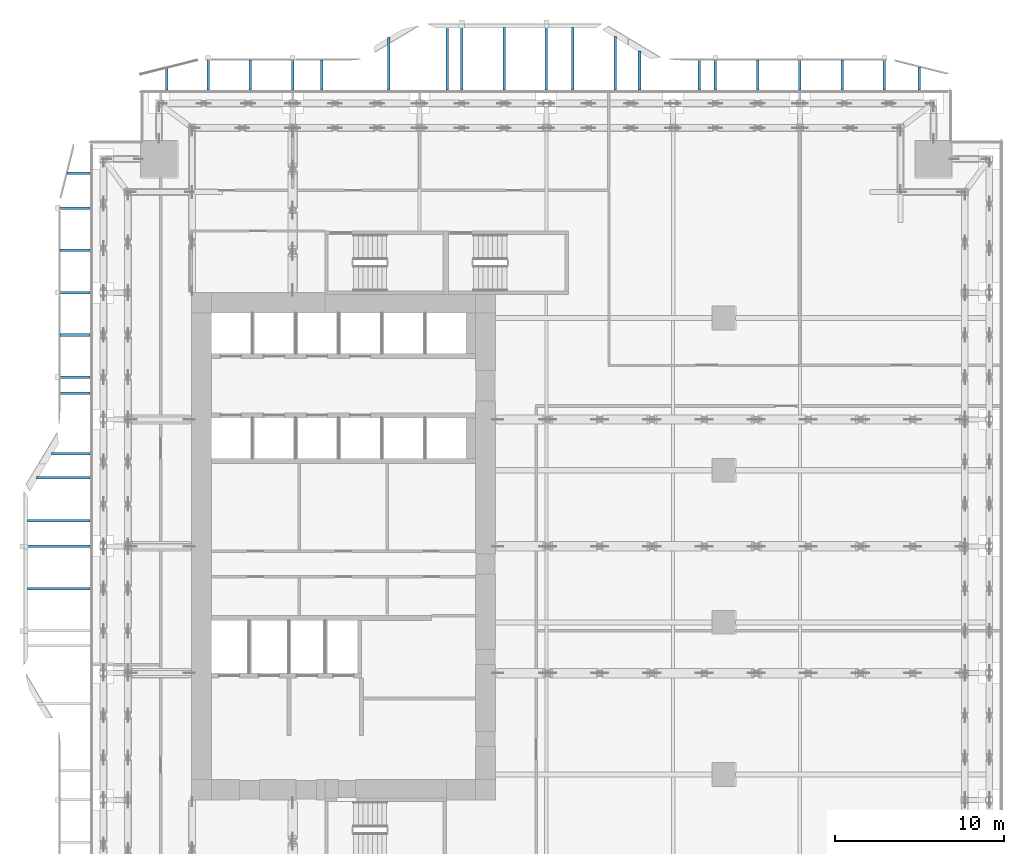
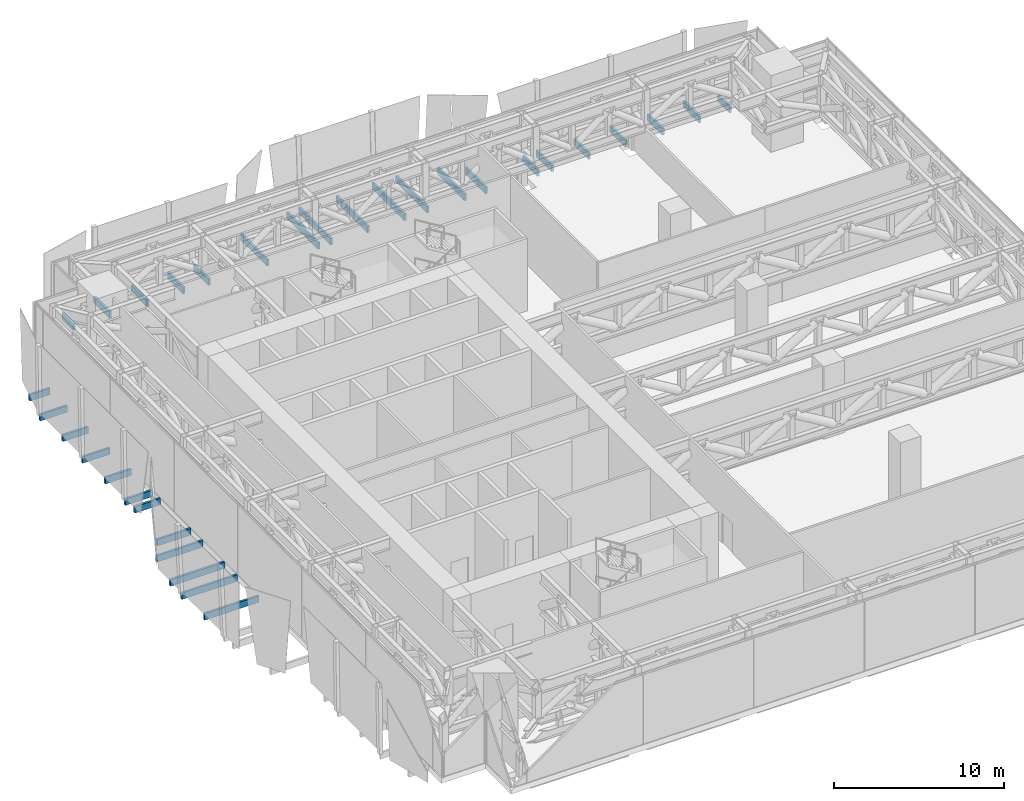
# One storey, part 33 of 39: 32 discrete accessories.
"""IFC4 building model written with IfcOpenShell, lengths in metres."""

from ifc_helpers import new_model, si_unit, direction, frame, origin, origin_2d, place, context, subcontext, project, spatial, rectangle, extrude, source, transform, mapped, material, type_object, element, save


model = new_model("IFC4")

# Units and contexts
model_context = context("Model", 3, precision=1e-05, world=origin(), true_north=direction((0.0, 1.0)))
body_context = subcontext(model_context, "Body", "Model", "MODEL_VIEW")
ifc_project = project(units=[si_unit("LENGTHUNIT", "METRE"), si_unit("AREAUNIT", "SQUARE_METRE"), si_unit("VOLUMEUNIT", "CUBIC_METRE"), si_unit("PLANEANGLEUNIT", "RADIAN"), si_unit("MASSUNIT", "GRAM", prefix="KILO")], contexts=[model_context])

# Site, building, storey
site_placement = place(None, origin())
site = spatial("IfcSite", under=ifc_project, at=site_placement, CompositionType="ELEMENT")
building_placement = place(site_placement, origin())
building = spatial("IfcBuilding", under=site, at=building_placement, Name="Khomas Fold Tower", CompositionType="ELEMENT")
storey_placement = place(building_placement, frame((0.0, 0.0, 96.0)))
storey = spatial("IfcBuildingStorey", under=building, at=storey_placement, Name="L20", CompositionType="ELEMENT", Elevation=96.0)

# Discrete accessories
ifc_material = material(Name="Stainless steel", Category="steel")
discrete_accessory_type = type_object("IfcDiscreteAccessoryType", Name="SK-Stainless steel stone bracket", PredefinedType="BRACKET", material=ifc_material)
shared_shape_1 = source(origin(), body_context, "Body", "SweptSolid", [
    extrude(rectangle(XDim=1.3330078125, YDim=0.14990234375, at=origin_2d()), origin(), (0.0, 0.0, 1.0), 0.4599609375),
])
discrete_accessory_1_placement = place(storey_placement, frame((4.55712890625, 54.66650390625, -0.39990234375), z_axis=(0.0, 0.0, 1.0), x_axis=(0.0, 1.0, 0.0)))
element("IfcDiscreteAccessory", 1, at=discrete_accessory_1_placement, inside=storey, type_object=discrete_accessory_type, Name="Stone bracket L20 NG098-1-1", PredefinedType="BRACKET", context=body_context, shape_type="MappedRepresentation", body=[
    mapped(shared_shape_1, transform((0.0, 0.0, 0.0))),
])
shared_shape_2 = source(origin(), body_context, "Body", "SweptSolid", [
    extrude(rectangle(XDim=1.84814453125, YDim=0.14990234375, at=origin_2d()), origin(), (0.0, 0.0, 1.0), 0.4599609375),
])
for number, where, z_axis, x_axis, name in (
    (2, (7.0, 54.924072265625, -0.39990234375), (0.0, 0.0, 1.0), (0.0, 1.0, 0.0), "Stone bracket L20 NM099-2-1"),
    (3, (12.0, 54.924072265625, -0.39990234375), (0.0, 0.0, 1.0), (0.0, 1.0, 0.0), "Stone bracket L20 NM100-4-1"),
    (4, (37.0, 54.924072265625, -0.39990234375), (0.0, 0.0, 1.0), (0.0, 1.0, 0.0), "Stone bracket L20 NM105-15-1"),
    (5, (42.0, 54.924072265625, -0.39990234375), (0.0, 0.0, 1.0), (0.0, 1.0, 0.0), "Stone bracket L20 NM106-17-1"),
    (6, (47.0, 54.924072265625, -0.39990234375), (0.0, 0.0, 1.0), (0.0, 1.0, 0.0), "Stone bracket L20 NM107-19-1"),
    (7, (-0.924072265625, 37.0, -0.39990234375), (0.0, 0.0, 1.0), (-1.0, 0.0, 0.0), "Stone bracket L20 WM105-15-1"),
    (8, (-0.924072265625, 42.0, -0.39990234375), (0.0, 0.0, 1.0), (-1.0, 0.0, 0.0), "Stone bracket L20 WM106-17-1"),
    (9, (-0.924072265625, 47.0, -0.39990234375), (0.0, 0.0, 1.0), (-1.0, 0.0, 0.0), "Stone bracket L20 WM107-19-1"),
):
    element("IfcDiscreteAccessory", number, at=place(storey_placement, frame(where, z_axis=z_axis, x_axis=x_axis)), inside=storey, type_object=discrete_accessory_type, Name=name, PredefinedType="BRACKET", context=body_context, shape_type="MappedRepresentation", body=[
        mapped(shared_shape_2, transform((0.0, 0.0, 0.0))),
    ])
shared_shape_3 = source(origin(), body_context, "Body", "SweptSolid", [
    extrude(rectangle(XDim=1.753173828125, YDim=0.14990234375, at=origin_2d()), origin(), (0.0, 0.0, 1.0), 0.4599609375),
])
for number, where, z_axis, x_axis, name in (
    (10, (9.5, 54.87646484375, -0.39990234375), (0.0, 0.0, 1.0), (0.0, 1.0, 0.0), "Stone bracket L20 NG099-3-1"),
    (11, (13.729736328125, 54.87646484375, -0.39990234375), (0.0, 0.0, 1.0), (0.0, 1.0, 0.0), "Stone bracket L20 NG100-5-1"),
    (12, (36.042236328125, 54.87646484375, -0.39990234375), (0.0, 0.0, 1.0), (0.0, 1.0, 0.0), "Stone bracket L20 NG104-14-1"),
    (13, (39.5, 54.87646484375, -0.39990234375), (0.0, 0.0, 1.0), (0.0, 1.0, 0.0), "Stone bracket L20 NG105-16-1"),
    (14, (44.5, 54.87646484375, -0.39990234375), (0.0, 0.0, 1.0), (0.0, 1.0, 0.0), "Stone bracket L20 NG106-18-1"),
    (15, (-0.87646484375, 36.042236328125, -0.39990234375), (0.0, 0.0, 1.0), (-1.0, 0.0, 0.0), "Stone bracket L20 WG104-14-1"),
    (16, (-0.87646484375, 39.5, -0.39990234375), (0.0, 0.0, 1.0), (-1.0, 0.0, 0.0), "Stone bracket L20 WG105-16-1"),
    (17, (-0.87646484375, 44.5, -0.39990234375), (0.0, 0.0, 1.0), (-1.0, 0.0, 0.0), "Stone bracket L20 WG106-18-1"),
):
    element("IfcDiscreteAccessory", number, at=place(storey_placement, frame(where, z_axis=z_axis, x_axis=x_axis)), inside=storey, type_object=discrete_accessory_type, Name=name, PredefinedType="BRACKET", context=body_context, shape_type="MappedRepresentation", body=[
        mapped(shared_shape_3, transform((0.0, 0.0, 0.0))),
    ])
shared_shape_4 = source(origin(), body_context, "Body", "SweptSolid", [
    extrude(rectangle(XDim=3.12060546875, YDim=0.14990234375, at=origin_2d()), origin(), (0.0, 0.0, 1.0), 0.4599609375),
])
discrete_accessory_2_placement = place(storey_placement, frame((17.690185546875, 55.560302734375, -0.39990234375), z_axis=(0.0, 0.0, 1.0), x_axis=(0.0, 1.0, 0.0)))
element("IfcDiscreteAccessory", 18, at=discrete_accessory_2_placement, inside=storey, type_object=discrete_accessory_type, Name="Stone bracket L20 NG101-6-1", PredefinedType="BRACKET", context=body_context, shape_type="MappedRepresentation", body=[
    mapped(shared_shape_4, transform((0.0, 0.0, 0.0))),
])
shared_shape_5 = source(origin(), body_context, "Body", "SweptSolid", [
    extrude(rectangle(XDim=3.685546875, YDim=0.14990234375, at=origin_2d()), origin(), (0.0, 0.0, 1.0), 0.4599609375),
])
for number, where, z_axis, x_axis, name in (
    (19, (21.140625, 55.8427734375, -0.39990234375), (0.0, 0.0, 1.0), (0.0, 1.0, 0.0), "Stone bracket L20 NG101-7-1"),
    (20, (24.5, 55.8427734375, -0.39990234375), (0.0, 0.0, 1.0), (0.0, 1.0, 0.0), "Stone bracket L20 NG102-9-1"),
    (21, (28.5498046875, 55.8427734375, -0.39990234375), (0.0, 0.0, 1.0), (0.0, 1.0, 0.0), "Stone bracket L20 NG103-11-1"),
    (22, (-1.8427734375, 24.5, -0.39990234375), (0.0, 0.0, 1.0), (-1.0, 0.0, 0.0), "Stone bracket L20 WG102-9-1"),
    (23, (-1.8427734375, 28.515625, -0.39990234375), (0.0, 0.0, 1.0), (-1.0, 0.0, 0.0), "Stone bracket L20 WG103-11-1"),
):
    element("IfcDiscreteAccessory", number, at=place(storey_placement, frame(where, z_axis=z_axis, x_axis=x_axis)), inside=storey, type_object=discrete_accessory_type, Name=name, PredefinedType="BRACKET", context=body_context, shape_type="MappedRepresentation", body=[
        mapped(shared_shape_5, transform((0.0, 0.0, 0.0))),
    ])
shared_shape_6 = source(origin(), body_context, "Body", "SweptSolid", [
    extrude(rectangle(XDim=3.780517578125, YDim=0.14990234375, at=origin_2d()), origin(), (0.0, 0.0, 1.0), 0.4599609375),
])
for number, where, z_axis, x_axis, name in (
    (24, (22.0, 55.89013671875, -0.39990234375), (0.0, 0.0, 1.0), (0.0, 1.0, 0.0), "Stone bracket L20 NM102-8-1"),
    (25, (27.0, 55.89013671875, -0.39990234375), (0.0, 0.0, 1.0), (0.0, 1.0, 0.0), "Stone bracket L20 NM103-10-1"),
    (26, (-1.89013671875, 27.0, -0.39990234375), (0.0, 0.0, 1.0), (-1.0, 0.0, 0.0), "Stone bracket L20 WM103-10-1"),
):
    element("IfcDiscreteAccessory", number, at=place(storey_placement, frame(where, z_axis=z_axis, x_axis=x_axis)), inside=storey, type_object=discrete_accessory_type, Name=name, PredefinedType="BRACKET", context=body_context, shape_type="MappedRepresentation", body=[
        mapped(shared_shape_6, transform((0.0, 0.0, 0.0))),
    ])
shared_shape_7 = source(origin(), body_context, "Body", "SweptSolid", [
    extrude(rectangle(XDim=3.16015625, YDim=0.14990234375, at=origin_2d()), origin(), (0.0, 0.0, 1.0), 0.4599609375),
])
discrete_accessory_3_placement = place(storey_placement, frame((31.077880859375, 55.580078125, -0.39990234375), z_axis=(0.0, 0.0, 1.0), x_axis=(0.0, 1.0, 0.0)))
element("IfcDiscreteAccessory", 27, at=discrete_accessory_3_placement, inside=storey, type_object=discrete_accessory_type, Name="Stone bracket L20 NG103-12-1", PredefinedType="BRACKET", context=body_context, shape_type="MappedRepresentation", body=[
    mapped(shared_shape_7, transform((0.0, 0.0, 0.0))),
])
shared_shape_8 = source(origin(), body_context, "Body", "SweptSolid", [
    extrude(rectangle(XDim=2.300537109375, YDim=0.14990234375, at=origin_2d()), origin(), (0.0, 0.0, 1.0), 0.4599609375),
])
discrete_accessory_4_placement = place(storey_placement, frame((32.5107421875, 55.150146484375, -0.39990234375), z_axis=(0.0, 0.0, 1.0), x_axis=(0.0, 1.0, 0.0)))
element("IfcDiscreteAccessory", 28, at=discrete_accessory_4_placement, inside=storey, type_object=discrete_accessory_type, Name="Stone bracket L20 NG104-13-1", PredefinedType="BRACKET", context=body_context, shape_type="MappedRepresentation", body=[
    mapped(shared_shape_8, transform((0.0, 0.0, 0.0))),
])
shared_shape_9 = source(origin(), body_context, "Body", "SweptSolid", [
    extrude(rectangle(XDim=1.357666015625, YDim=0.14990234375, at=origin_2d()), origin(), (0.0, 0.0, 1.0), 0.4599609375),
])
for number, where, z_axis, x_axis, name in (
    (29, (49.05712890625, 54.6787109375, -0.39990234375), (0.0, 0.0, 1.0), (0.0, 1.0, 0.0), "Stone bracket L20 NG107-20-1"),
    (30, (-0.6787109375, 49.05712890625, -0.39990234375), (0.0, 0.0, 1.0), (-1.0, 0.0, 0.0), "Stone bracket L20 WG107-20-1"),
):
    element("IfcDiscreteAccessory", number, at=place(storey_placement, frame(where, z_axis=z_axis, x_axis=x_axis)), inside=storey, type_object=discrete_accessory_type, Name=name, PredefinedType="BRACKET", context=body_context, shape_type="MappedRepresentation", body=[
        mapped(shared_shape_9, transform((0.0, 0.0, 0.0))),
    ])
shared_shape_10 = source(origin(), body_context, "Body", "SweptSolid", [
    extrude(rectangle(XDim=3.1396484375, YDim=0.14990234375, at=origin_2d()), origin(), (0.0, 0.0, 1.0), 0.4599609375),
])
discrete_accessory_5_placement = place(storey_placement, frame((-1.56982421875, 31.04345703125, -0.39990234375), z_axis=(0.0, 0.0, 1.0), x_axis=(-1.0, 0.0, 0.0)))
element("IfcDiscreteAccessory", 31, at=discrete_accessory_5_placement, inside=storey, type_object=discrete_accessory_type, Name="Stone bracket L20 WG103-12-1", PredefinedType="BRACKET", context=body_context, shape_type="MappedRepresentation", body=[
    mapped(shared_shape_10, transform((0.0, 0.0, 0.0))),
])
shared_shape_11 = source(origin(), body_context, "Body", "SweptSolid", [
    extrude(rectangle(XDim=2.27978515625, YDim=0.14990234375, at=origin_2d()), origin(), (0.0, 0.0, 1.0), 0.4599609375),
])
discrete_accessory_6_placement = place(storey_placement, frame((-1.139892578125, 32.4765625, -0.39990234375), z_axis=(0.0, 0.0, 1.0), x_axis=(-1.0, 0.0, 0.0)))
element("IfcDiscreteAccessory", 32, at=discrete_accessory_6_placement, inside=storey, type_object=discrete_accessory_type, Name="Stone bracket L20 WG104-13-1", PredefinedType="BRACKET", context=body_context, shape_type="MappedRepresentation", body=[
    mapped(shared_shape_11, transform((0.0, 0.0, 0.0))),
])

save(model, "model.ifc")
